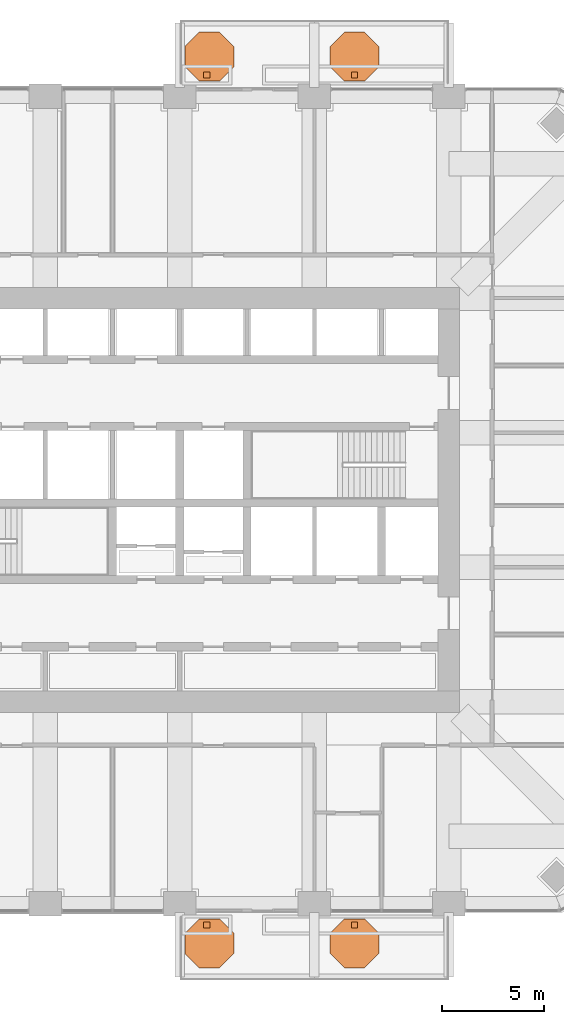
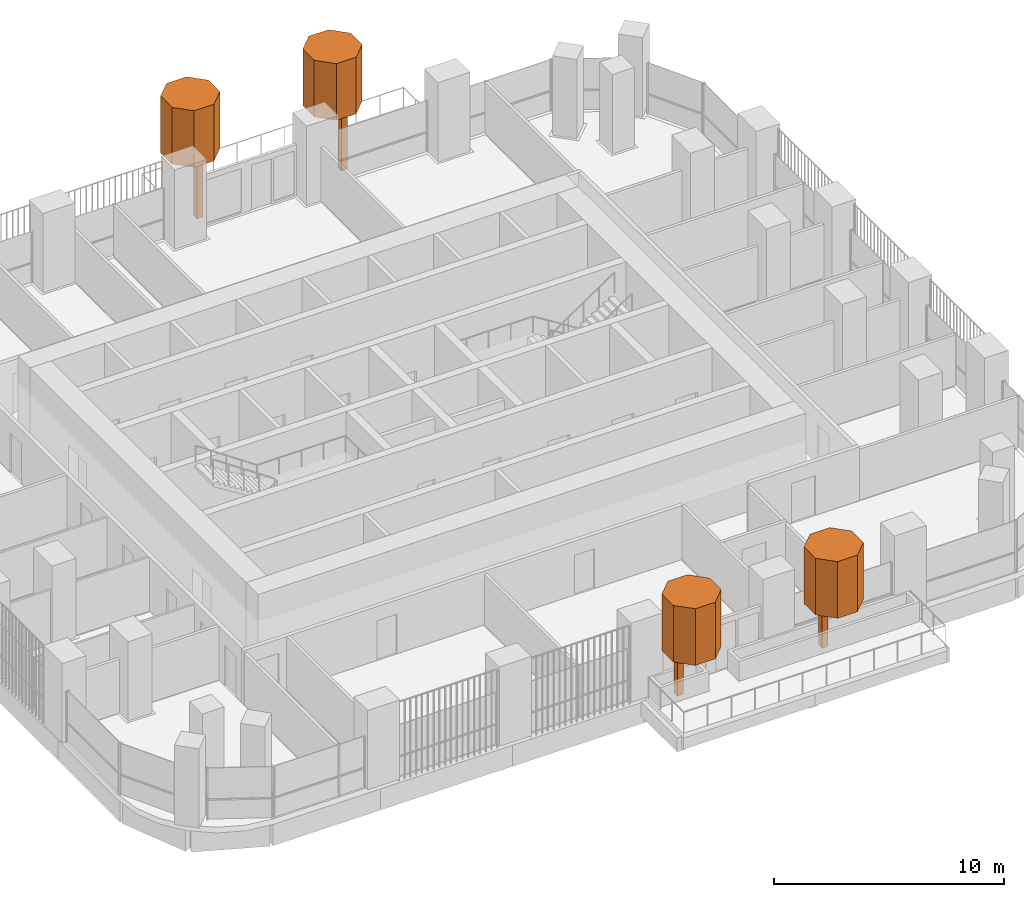
# One storey, part 20 of 20: 8 geographic elements.
"""IFC4 building model written with IfcOpenShell, lengths in metres."""

from ifc_helpers import new_model, si_unit, direction, frame, origin, origin_2d, place, context, subcontext, project, spatial, polyline, rectangle, outline, extrude, material, type_object, element, save


model = new_model("IFC4")

# Units and contexts
model_context = context("Model", 3, precision=1e-05, world=origin(), true_north=direction((0.0, 1.0)))
body_context = subcontext(model_context, "Body", "Model", "MODEL_VIEW")
ifc_project = project(units=[si_unit("LENGTHUNIT", "METRE"), si_unit("AREAUNIT", "SQUARE_METRE"), si_unit("VOLUMEUNIT", "CUBIC_METRE"), si_unit("PLANEANGLEUNIT", "RADIAN"), si_unit("MASSUNIT", "GRAM", prefix="KILO")], contexts=[model_context])

# Site, building, storey
site_placement = place(None, origin())
site = spatial("IfcSite", under=ifc_project, at=site_placement, CompositionType="ELEMENT")
building_placement = place(site_placement, origin())
building = spatial("IfcBuilding", under=site, at=building_placement, Name="Cobogo Forest Laboratory Tower", CompositionType="ELEMENT")
storey_placement = place(building_placement, frame((0.0, 0.0, 180.89990234375)))
storey = spatial("IfcBuildingStorey", under=building, at=storey_placement, Name="L41", CompositionType="ELEMENT", Elevation=180.89990234375)

# Geographic elements
ifc_material = material(Name="Planting", Category="plant")
geographic_element_type_1 = type_object("IfcGeographicElementType", Name="Tree trunk 300", PredefinedType="USERDEFINED", material=ifc_material)
for number, where, z_axis, x_axis, name in (
    (1, (27.72509765625, 2.25, 0.000244140625), (0.0, 0.0, 1.0), (1.0, 0.0, 0.0), "Tree trunk BAL-S1-PL1 L41"),
    (2, (34.97509765625, 2.25, 0.000244140625), (0.0, 0.0, 1.0), (1.0, 0.0, 0.0), "Tree trunk BAL-S1-PL2 L41"),
    (3, (27.72509765625, 43.949951171875, 0.000244140625), (0.0, 0.0, 1.0), (1.0, 0.0, 0.0), "Tree trunk BAL-N1-PL1 L41"),
    (4, (34.97509765625, 43.949951171875, 0.000244140625), (0.0, 0.0, 1.0), (1.0, 0.0, 0.0), "Tree trunk BAL-N1-PL2 L41"),
):
    element("IfcGeographicElement", number, at=place(storey_placement, frame(where, z_axis=z_axis, x_axis=x_axis)), inside=storey, type_object=geographic_element_type_1, Name=name, ObjectType="TREE TRUNK", PredefinedType="USERDEFINED", context=body_context, shape_type="SweptSolid", body=[
        extrude(rectangle(XDim=0.300048828125, YDim=0.300048828125, at=origin_2d()), origin(), (0.0, 0.0, 1.0), 2.89990234375),
    ])
geographic_element_type_2 = type_object("IfcGeographicElementType", Name="Tree, holm oak 5 m", PredefinedType="USERDEFINED", material=ifc_material)
geographic_element_1_placement = place(storey_placement, frame((0.0, 0.0, 2.900146484375)))
element("IfcGeographicElement", 5, at=geographic_element_1_placement, inside=storey, type_object=geographic_element_type_2, Name="Holm tree BAL-S1-PL1 L41", ObjectType="TREE", PredefinedType="USERDEFINED", context=body_context, shape_type="SweptSolid", body=[
    extrude(outline(polyline([(29.050048828125, 0.85302734375), (29.050048828125, 1.84716796875), (28.34716796875, 2.550048828125), (27.35302734375, 2.550048828125), (26.64990234375, 1.84716796875), (26.64990234375, 0.85302734375), (27.35302734375, 0.14990234375), (28.34716796875, 0.14990234375), (29.050048828125, 0.85302734375)])), origin(), (0.0, 0.0, 1.0), 3.0),
])
geographic_element_2_placement = place(storey_placement, frame((0.0, 0.0, 2.900146484375)))
element("IfcGeographicElement", 6, at=geographic_element_2_placement, inside=storey, type_object=geographic_element_type_2, Name="Holm tree BAL-S1-PL2 L41", ObjectType="TREE", PredefinedType="USERDEFINED", context=body_context, shape_type="SweptSolid", body=[
    extrude(outline(polyline([(36.175048828125, 0.85302734375), (36.175048828125, 1.84716796875), (35.47216796875, 2.550048828125), (34.47802734375, 2.550048828125), (33.77490234375, 1.84716796875), (33.77490234375, 0.85302734375), (34.47802734375, 0.14990234375), (35.47216796875, 0.14990234375), (36.175048828125, 0.85302734375)])), origin(), (0.0, 0.0, 1.0), 3.0),
])
geographic_element_3_placement = place(storey_placement, frame((0.0, 0.0, 2.900146484375)))
element("IfcGeographicElement", 7, at=geographic_element_3_placement, inside=storey, type_object=geographic_element_type_2, Name="Holm tree BAL-N1-PL1 L41", ObjectType="TREE", PredefinedType="USERDEFINED", context=body_context, shape_type="SweptSolid", body=[
    extrude(outline(polyline([(29.050048828125, 44.35302734375), (29.050048828125, 45.34716796875), (28.34716796875, 46.050048828125), (27.35302734375, 46.050048828125), (26.64990234375, 45.34716796875), (26.64990234375, 44.35302734375), (27.35302734375, 43.64990234375), (28.34716796875, 43.64990234375), (29.050048828125, 44.35302734375)])), origin(), (0.0, 0.0, 1.0), 3.0),
])
geographic_element_4_placement = place(storey_placement, frame((0.0, 0.0, 2.900146484375)))
element("IfcGeographicElement", 8, at=geographic_element_4_placement, inside=storey, type_object=geographic_element_type_2, Name="Holm tree BAL-N1-PL2 L41", ObjectType="TREE", PredefinedType="USERDEFINED", context=body_context, shape_type="SweptSolid", body=[
    extrude(outline(polyline([(36.175048828125, 44.35302734375), (36.175048828125, 45.34716796875), (35.47216796875, 46.050048828125), (34.47802734375, 46.050048828125), (33.77490234375, 45.34716796875), (33.77490234375, 44.35302734375), (34.47802734375, 43.64990234375), (35.47216796875, 43.64990234375), (36.175048828125, 44.35302734375)])), origin(), (0.0, 0.0, 1.0), 3.0),
])

save(model, "model.ifc")
